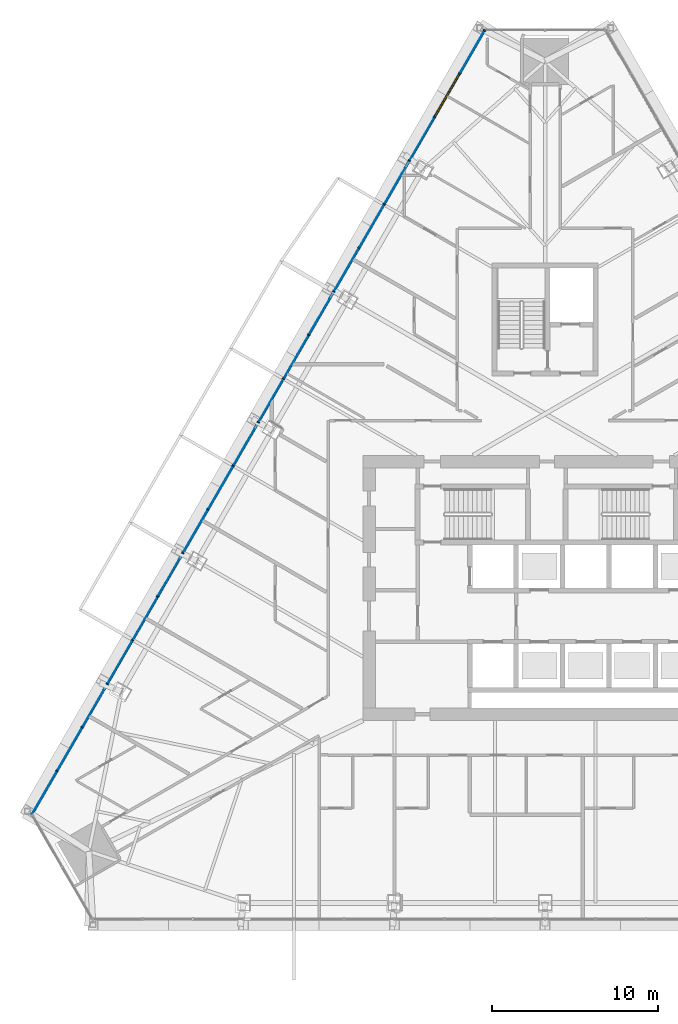
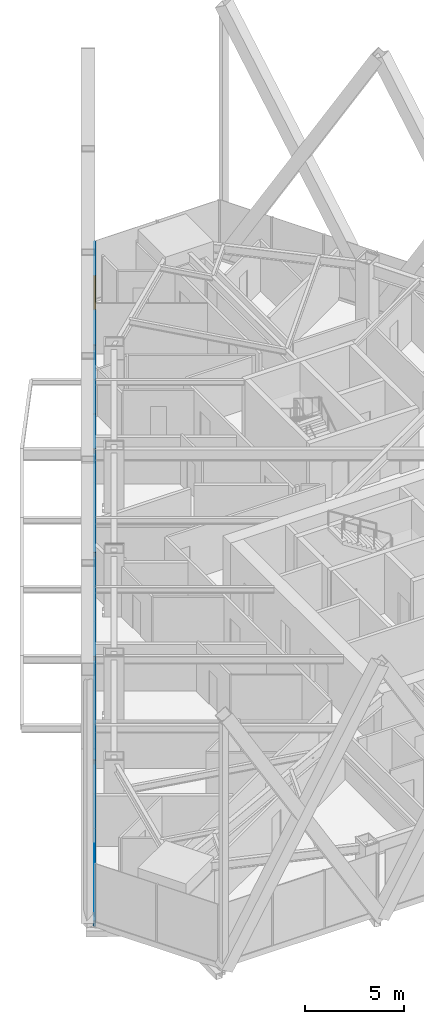
# One storey, part 6 of 26: 19 members, 17 plates, 1 window, 1 opening, 1 element without a shape of its own.
"""IFC4 building model written with IfcOpenShell, lengths in metres."""

import ifcopenshell
import ifcopenshell.guid

model = None  # the IFC model being written
_history = None  # IfcOwnerHistory: only IFC2X3 demands one
_inside = {}  # id of a spatial element -> (the spatial element, [elements in it])
_under = {}  # id of a project, library or spatial element -> (it, [spatial elements below it])
_declared = {}  # id of a project -> (the project, [libraries it declares])
_typed = {}  # id of a type object -> (the type object, [elements of that type])
_made_of = {}  # id of a material, layer set ... -> (it, [elements and type objects made of it])


def new_model(schema):
    """Start an empty IFC model of exactly this schema.

    Asked for "IFC4X3", IfcOpenShell would pick the latest addendum, in which some entities
    have other attributes; the version numbers below select the first issue.
    IFC2X3 requires an IfcOwnerHistory on every rooted entity: one is made here for all.
    """
    global model, _history
    if schema == "IFC4X3":
        model = ifcopenshell.file(schema_version=(4, 3, 0, 0))
    else:
        model = ifcopenshell.file(schema=schema)
    _inside.clear()
    _under.clear()
    _declared.clear()
    _typed.clear()
    _made_of.clear()
    _history = None
    if model.schema == "IFC2X3":
        org = make("IfcOrganization", Name="unknown")
        user = make(
            "IfcPersonAndOrganization",
            ThePerson=make("IfcPerson", FamilyName="unknown"),
            TheOrganization=org,
        )
        app = make(
            "IfcApplication",
            ApplicationDeveloper=org,
            Version="unknown",
            ApplicationFullName="unknown",
            ApplicationIdentifier="unknown",
        )
        _history = make(
            "IfcOwnerHistory",
            OwningUser=user,
            OwningApplication=app,
            ChangeAction="ADDED",
            CreationDate=0,
        )
    return model


def make(cls, **values):
    """One entity of the class cls with the attributes given. An attribute that is None is left unset."""
    return model.create_entity(
        cls, **{name: value for name, value in values.items() if value is not None}
    )


def rooted(cls, **values):
    """An entity with a GlobalId (a new one), such as an element, a storey or a relation."""
    return make(cls, GlobalId=ifcopenshell.guid.new(), OwnerHistory=_history, **values)


def si_unit(unit_type, name, prefix=None):
    """IfcSIUnit, for example si_unit("LENGTHUNIT", "METRE", prefix="MILLI")."""
    return make("IfcSIUnit", UnitType=unit_type, Prefix=prefix, Name=name)


def assignment(units):
    """IfcUnitAssignment: the units of a project."""
    return None if units is None else make("IfcUnitAssignment", Units=units)


def point(xyz):
    """IfcCartesianPoint."""
    return None if xyz is None else make("IfcCartesianPoint", Coordinates=xyz)


def direction(xyz):
    """IfcDirection."""
    return None if xyz is None else make("IfcDirection", DirectionRatios=xyz)


def frame(location, z_axis=None, x_axis=None):
    """IfcAxis2Placement3D, a coordinate frame: its origin and axes. An axis left out is left unset."""
    return make(
        "IfcAxis2Placement3D",
        Location=point(location),
        Axis=direction(z_axis),
        RefDirection=direction(x_axis),
    )


def frame_2d(location, x_axis=None):
    """IfcAxis2Placement2D, a coordinate frame in the plane: its origin and x axis."""
    return make(
        "IfcAxis2Placement2D", Location=point(location), RefDirection=direction(x_axis)
    )


def origin():
    """The frame at (0, 0, 0) with its axes left unset."""
    return frame((0.0, 0.0, 0.0))


def origin_2d():
    """The frame at (0, 0) in the plane with its x axis left unset."""
    return frame_2d((0.0, 0.0))


def place(relative_to, where):
    """IfcLocalPlacement: puts the frame where relative to a parent placement (None: the world)."""
    return make(
        "IfcLocalPlacement", PlacementRelTo=relative_to, RelativePlacement=where
    )


def context(
    kind, dimensions, precision=None, world=None, true_north=None, identifier=None
):
    """IfcGeometricRepresentationContext, for example the 3D "Model" context."""
    return make(
        "IfcGeometricRepresentationContext",
        ContextIdentifier=identifier,
        ContextType=kind,
        CoordinateSpaceDimension=dimensions,
        Precision=precision,
        WorldCoordinateSystem=world,
        TrueNorth=true_north,
    )


def subcontext(parent, identifier, kind, view, scale=None):
    """IfcGeometricRepresentationSubContext, for example "Body" below "Model"."""
    return make(
        "IfcGeometricRepresentationSubContext",
        ContextIdentifier=identifier,
        ContextType=kind,
        ParentContext=parent,
        TargetScale=scale,
        TargetView=view,
    )


def project(units=None, contexts=None):
    """IfcProject with its units and contexts."""
    return rooted(
        "IfcProject",
        Name="project",
        RepresentationContexts=contexts,
        UnitsInContext=assignment(units),
    )


def spatial(cls, under=None, at=None, **own):
    """A site, building, storey or space (cls), placed at a placement, below another one or the project."""
    s = rooted(cls, ObjectPlacement=at, **own)
    if under is not None:
        _under.setdefault(under.id(), (under, []))[1].append(s)
    return s


def polyline(points):
    """IfcPolyline through the points."""
    return make("IfcPolyline", Points=[point(p) for p in points])


def profile(cls, at=None, kind="AREA", **sizes):
    """A parametric profile (cls). Its sizes go by their IFC names, for example OverallWidth=200.0."""
    return make(cls, ProfileType=kind, Position=at, **sizes)


def rectangle(**sizes):
    """IfcRectangleProfileDef."""
    return profile("IfcRectangleProfileDef", **sizes)


def outline(outer, holes=None, kind="AREA"):
    """IfcArbitraryClosedProfileDef: a profile drawn as a closed curve; with holes, ...WithVoids."""
    if holes is None:
        return make("IfcArbitraryClosedProfileDef", ProfileType=kind, OuterCurve=outer)
    return make(
        "IfcArbitraryProfileDefWithVoids",
        ProfileType=kind,
        OuterCurve=outer,
        InnerCurves=holes,
    )


def extrude(swept, where, along, depth):
    """IfcExtrudedAreaSolid: the profile swept, set in the frame where, extruded along a direction by depth."""
    return make(
        "IfcExtrudedAreaSolid",
        SweptArea=swept,
        Position=where,
        ExtrudedDirection=direction(along),
        Depth=depth,
    )


def shape(context_of_items, identifier, shape_type, items):
    """IfcShapeRepresentation: the items that make up one representation, for example the "Body"."""
    return make(
        "IfcShapeRepresentation",
        ContextOfItems=context_of_items,
        RepresentationIdentifier=identifier,
        RepresentationType=shape_type,
        Items=items,
    )


def material(Name=None, Category=None):
    """IfcMaterial."""
    return make("IfcMaterial", Name=Name, Category=Category)


def layer(
    of_material, thickness, ventilated=None, Name=None, Category=None, Priority=None
):
    """IfcMaterialLayer: one layer of a wall or slab, of a material (None: an air gap)."""
    return make(
        "IfcMaterialLayer",
        Material=of_material,
        LayerThickness=thickness,
        IsVentilated=ventilated,
        Name=Name,
        Category=Category,
        Priority=Priority,
    )


def layer_set(layers, Name=None):
    """IfcMaterialLayerSet."""
    return make("IfcMaterialLayerSet", MaterialLayers=layers, LayerSetName=Name)


def material_profile(
    of_material, cross_section, Name=None, Category=None, Priority=None
):
    """IfcMaterialProfile: a cross section and its material."""
    return make(
        "IfcMaterialProfile",
        Name=Name,
        Material=of_material,
        Profile=cross_section,
        Priority=Priority,
        Category=Category,
    )


def profile_set(profiles, Name=None, composite=None):
    """IfcMaterialProfileSet."""
    return make(
        "IfcMaterialProfileSet",
        Name=Name,
        MaterialProfiles=profiles,
        CompositeProfile=composite,
    )


def made_of(thing, what):
    """Note that an element or type object is made of a material, layer set ...; save() writes the relation."""
    if what is not None:
        _made_of.setdefault(what.id(), (what, []))[1].append(thing)
    return thing


def type_object(cls, material=None, **own):
    """A type object (cls), such as IfcWallType, which elements share."""
    return made_of(rooted(cls, **own), material)


def element(
    cls,
    number,
    at=None,
    inside=None,
    cuts=None,
    type_object=None,
    material=None,
    context=None,
    identifier="Body",
    shape_type=None,
    held_by="IfcProductDefinitionShape",
    body=None,
    shapes=None,
    **own,
):
    """One element of the class cls, such as IfcWall. Its Tag is "e" and its number.

    at: its placement. inside: the storey or other place that contains it. cuts: it is an
    opening in that element (IfcRelVoidsElement). A single representation is given by context,
    identifier, shape_type and body (its items); several are given by shapes. held_by: the class
    of the entity that holds the representations. save() writes the other relations.
    """
    e = rooted(cls, Tag="e%d" % number, ObjectPlacement=at, **own)
    if body is not None:
        shapes = [shape(context, identifier, shape_type, body)]
    if shapes is not None:
        e.Representation = make(held_by, Representations=shapes)
    if inside is not None:
        _inside.setdefault(inside.id(), (inside, []))[1].append(e)
    if cuts is not None:
        rooted(
            "IfcRelVoidsElement", RelatingBuildingElement=cuts, RelatedOpeningElement=e
        )
    if type_object is not None:
        _typed.setdefault(type_object.id(), (type_object, []))[1].append(e)
    return made_of(e, material)


def fill(opening, filler):
    """IfcRelFillsElement: the door or window that sits in an opening."""
    return rooted(
        "IfcRelFillsElement",
        RelatingOpeningElement=opening,
        RelatedBuildingElement=filler,
    )


def aggregate(whole, parts):
    """IfcRelAggregates: a whole, such as a stair, and the parts it consists of."""
    return rooted("IfcRelAggregates", RelatingObject=whole, RelatedObjects=parts)


def save(model, path):
    """Write the relations noted so far, then the file.

    IfcRelAggregates (storeys below a building ...), IfcRelContainedInSpatialStructure (elements
    in a storey), IfcRelDefinesByType, IfcRelAssociatesMaterial and IfcRelDeclares: one each for
    every whole, place, type object, material and project.
    """
    for whole, parts in _under.values():
        aggregate(whole, parts)
    for where, things in _inside.values():
        rooted(
            "IfcRelContainedInSpatialStructure",
            RelatedElements=things,
            RelatingStructure=where,
        )
    for kind, things in _typed.values():
        rooted("IfcRelDefinesByType", RelatedObjects=things, RelatingType=kind)
    for what, things in _made_of.values():
        rooted("IfcRelAssociatesMaterial", RelatedObjects=things, RelatingMaterial=what)
    for by, libraries in _declared.values():
        rooted("IfcRelDeclares", RelatingContext=by, RelatedDefinitions=libraries)
    model.write(path)


model = new_model("IFC4")

# Units and contexts
model_context = context("Model", 3, precision=1e-05, world=origin(), true_north=direction((0.0, 1.0)))
body_context = subcontext(model_context, "Body", "Model", "MODEL_VIEW")
ifc_project = project(units=[si_unit("LENGTHUNIT", "METRE"), si_unit("AREAUNIT", "SQUARE_METRE"), si_unit("VOLUMEUNIT", "CUBIC_METRE"), si_unit("PLANEANGLEUNIT", "RADIAN"), si_unit("MASSUNIT", "GRAM", prefix="KILO")], contexts=[model_context])

# Site, building, storey
site_placement = place(None, origin())
site = spatial("IfcSite", under=ifc_project, at=site_placement, CompositionType="ELEMENT")
building_placement = place(site_placement, origin())
building = spatial("IfcBuilding", under=site, at=building_placement, Name="Firuza Gate Tower and Library", CompositionType="ELEMENT")
storey_placement = place(building_placement, frame((0.0, 0.0, 155.800048828125)))
storey = spatial("IfcBuildingStorey", under=building, at=storey_placement, Name="L35", CompositionType="ELEMENT", Elevation=155.800048828125)

# Curtain wall, opening, members, plates, window
ifc_material_1 = material(Name="Aluminium 6063-T6", Category="aluminium")
ifc_layer_1 = layer(ifc_material_1, 0.14990234375)
ifc_layer_set_1 = layer_set([ifc_layer_1], Name="Unitised curtain wall, hotel")
curtain_wall_type = type_object("IfcCurtainWallType", Name="Unitised curtain wall, hotel", PredefinedType="NOTDEFINED", material=ifc_layer_set_1)
curtain_wall_placement = place(storey_placement, origin())
curtain_wall = element("IfcCurtainWall", 1, at=curtain_wall_placement, inside=storey, type_object=curtain_wall_type, Name="CW2 L35 W face", PredefinedType="NOTDEFINED")
opening_placement = place(curtain_wall_placement, frame((69.817626953125, 106.010986328125, 0.14990234375), z_axis=(0.0, 0.0, 1.0), x_axis=(-0.5, -0.866025, 0.0)))
opening = element("IfcOpeningElement", 2, at=opening_placement, cuts=curtain_wall, Name="Opening WD1-005", PredefinedType="OPENING", context=body_context, shape_type="SweptSolid", body=[
    extrude(rectangle(XDim=2.958251953125, YDim=3.550048828125, at=frame_2d((1.47900390625, 1.77490234375))), frame((0.0, 0.0849609375, 0.0), z_axis=(0.0, -1.0, 0.0), x_axis=(1.0, 0.0, 0.0)), (0.0, 0.0, 1.0), 0.169921875),
])
ifc_material_2 = material(Name="Aluminium 6063-T6", Category="aluminium")
ifc_material_profile_1 = material_profile(ifc_material_2, rectangle(XDim=0.14990234375, YDim=0.080078125, at=origin_2d()))
ifc_profile_set_1 = profile_set([ifc_material_profile_1], Name="Aluminium 6063-T6")
member_type_1 = type_object("IfcMemberType", Name="Curtain wall mullion 80x150", PredefinedType="MULLION", material=ifc_profile_set_1)
member_1_placement = place(storey_placement, frame((71.336669921875, 108.64208984375, 0.14990234375), z_axis=(0.0, 0.0, 1.0), x_axis=(0.866025403784, -0.5, 0.0)))
member_1 = element("IfcMember", 3, at=member_1_placement, type_object=member_type_1, Name="Mullion", PredefinedType="MULLION", context=body_context, shape_type="SweptSolid", body=[
    extrude(rectangle(XDim=0.14990234375, YDim=0.080078125, at=origin_2d()), origin(), (0.0, 0.0, 1.0), 3.550048828125),
])
member_2_placement = place(storey_placement, frame((69.837646484375, 106.045654296875, 0.14990234375), z_axis=(0.0, 0.0, 1.0), x_axis=(0.866025403784, -0.5, 0.0)))
member_2 = element("IfcMember", 4, at=member_2_placement, type_object=member_type_1, Name="Mullion", PredefinedType="MULLION", context=body_context, shape_type="SweptSolid", body=[
    extrude(rectangle(XDim=0.14990234375, YDim=0.080078125, at=origin_2d()), origin(), (0.0, 0.0, 1.0), 3.550048828125),
])
member_3_placement = place(storey_placement, frame((68.318603515625, 103.41455078125, 0.14990234375), z_axis=(0.0, 0.0, 1.0), x_axis=(0.866025403784, -0.5, 0.0)))
member_3 = element("IfcMember", 5, at=member_3_placement, type_object=member_type_1, Name="Mullion", PredefinedType="MULLION", context=body_context, shape_type="SweptSolid", body=[
    extrude(rectangle(XDim=0.14990234375, YDim=0.080078125, at=origin_2d()), origin(), (0.0, 0.0, 1.0), 3.550048828125),
])
member_4_placement = place(storey_placement, frame((66.799560546875, 100.783447265625, 0.14990234375), z_axis=(0.0, 0.0, 1.0), x_axis=(0.866025403784, -0.5, 0.0)))
member_4 = element("IfcMember", 6, at=member_4_placement, type_object=member_type_1, Name="Mullion", PredefinedType="MULLION", context=body_context, shape_type="SweptSolid", body=[
    extrude(rectangle(XDim=0.14990234375, YDim=0.080078125, at=origin_2d()), origin(), (0.0, 0.0, 1.0), 3.550048828125),
])
member_5_placement = place(storey_placement, frame((65.280517578125, 98.15234375, 0.14990234375), z_axis=(0.0, 0.0, 1.0), x_axis=(0.866025403784, -0.5, 0.0)))
member_5 = element("IfcMember", 7, at=member_5_placement, type_object=member_type_1, Name="Mullion", PredefinedType="MULLION", context=body_context, shape_type="SweptSolid", body=[
    extrude(rectangle(XDim=0.14990234375, YDim=0.080078125, at=origin_2d()), origin(), (0.0, 0.0, 1.0), 3.550048828125),
])
member_6_placement = place(storey_placement, frame((63.76123046875, 95.521240234375, 0.14990234375), z_axis=(0.0, 0.0, 1.0), x_axis=(0.866025403784, -0.5, 0.0)))
member_6 = element("IfcMember", 8, at=member_6_placement, type_object=member_type_1, Name="Mullion", PredefinedType="MULLION", context=body_context, shape_type="SweptSolid", body=[
    extrude(rectangle(XDim=0.14990234375, YDim=0.080078125, at=origin_2d()), origin(), (0.0, 0.0, 1.0), 3.550048828125),
])
member_7_placement = place(storey_placement, frame((62.2421875, 92.89013671875, 0.14990234375), z_axis=(0.0, 0.0, 1.0), x_axis=(0.866025403784, -0.5, 0.0)))
member_7 = element("IfcMember", 9, at=member_7_placement, type_object=member_type_1, Name="Mullion", PredefinedType="MULLION", context=body_context, shape_type="SweptSolid", body=[
    extrude(rectangle(XDim=0.14990234375, YDim=0.080078125, at=origin_2d()), origin(), (0.0, 0.0, 1.0), 3.550048828125),
])
member_8_placement = place(storey_placement, frame((60.72314453125, 90.259033203125, 0.14990234375), z_axis=(0.0, 0.0, 1.0), x_axis=(0.866025403784, -0.5, 0.0)))
member_8 = element("IfcMember", 10, at=member_8_placement, type_object=member_type_1, Name="Mullion", PredefinedType="MULLION", context=body_context, shape_type="SweptSolid", body=[
    extrude(rectangle(XDim=0.14990234375, YDim=0.080078125, at=origin_2d()), origin(), (0.0, 0.0, 1.0), 3.550048828125),
])
member_9_placement = place(storey_placement, frame((59.2041015625, 87.6279296875, 0.14990234375), z_axis=(0.0, 0.0, 1.0), x_axis=(0.866025403784, -0.5, 0.0)))
member_9 = element("IfcMember", 11, at=member_9_placement, type_object=member_type_1, Name="Mullion", PredefinedType="MULLION", context=body_context, shape_type="SweptSolid", body=[
    extrude(rectangle(XDim=0.14990234375, YDim=0.080078125, at=origin_2d()), origin(), (0.0, 0.0, 1.0), 3.550048828125),
])
member_10_placement = place(storey_placement, frame((57.68505859375, 84.996826171875, 0.14990234375), z_axis=(0.0, 0.0, 1.0), x_axis=(0.866025403784, -0.5, 0.0)))
member_10 = element("IfcMember", 12, at=member_10_placement, type_object=member_type_1, Name="Mullion", PredefinedType="MULLION", context=body_context, shape_type="SweptSolid", body=[
    extrude(rectangle(XDim=0.14990234375, YDim=0.080078125, at=origin_2d()), origin(), (0.0, 0.0, 1.0), 3.550048828125),
])
member_11_placement = place(storey_placement, frame((56.166015625, 82.36572265625, 0.14990234375), z_axis=(0.0, 0.0, 1.0), x_axis=(0.866025403784, -0.5, 0.0)))
member_11 = element("IfcMember", 13, at=member_11_placement, type_object=member_type_1, Name="Mullion", PredefinedType="MULLION", context=body_context, shape_type="SweptSolid", body=[
    extrude(rectangle(XDim=0.14990234375, YDim=0.080078125, at=origin_2d()), origin(), (0.0, 0.0, 1.0), 3.550048828125),
])
member_12_placement = place(storey_placement, frame((54.64697265625, 79.734619140625, 0.14990234375), z_axis=(0.0, 0.0, 1.0), x_axis=(0.866025403784, -0.5, 0.0)))
member_12 = element("IfcMember", 14, at=member_12_placement, type_object=member_type_1, Name="Mullion", PredefinedType="MULLION", context=body_context, shape_type="SweptSolid", body=[
    extrude(rectangle(XDim=0.14990234375, YDim=0.080078125, at=origin_2d()), origin(), (0.0, 0.0, 1.0), 3.550048828125),
])
member_13_placement = place(storey_placement, frame((53.1279296875, 77.103515625, 0.14990234375), z_axis=(0.0, 0.0, 1.0), x_axis=(0.866025403784, -0.5, 0.0)))
member_13 = element("IfcMember", 15, at=member_13_placement, type_object=member_type_1, Name="Mullion", PredefinedType="MULLION", context=body_context, shape_type="SweptSolid", body=[
    extrude(rectangle(XDim=0.14990234375, YDim=0.080078125, at=origin_2d()), origin(), (0.0, 0.0, 1.0), 3.550048828125),
])
member_14_placement = place(storey_placement, frame((51.608642578125, 74.472412109375, 0.14990234375), z_axis=(0.0, 0.0, 1.0), x_axis=(0.866025403784, -0.5, 0.0)))
member_14 = element("IfcMember", 16, at=member_14_placement, type_object=member_type_1, Name="Mullion", PredefinedType="MULLION", context=body_context, shape_type="SweptSolid", body=[
    extrude(rectangle(XDim=0.14990234375, YDim=0.080078125, at=origin_2d()), origin(), (0.0, 0.0, 1.0), 3.550048828125),
])
member_15_placement = place(storey_placement, frame((50.089599609375, 71.84130859375, 0.14990234375), z_axis=(0.0, 0.0, 1.0), x_axis=(0.866025403784, -0.5, 0.0)))
member_15 = element("IfcMember", 17, at=member_15_placement, type_object=member_type_1, Name="Mullion", PredefinedType="MULLION", context=body_context, shape_type="SweptSolid", body=[
    extrude(rectangle(XDim=0.14990234375, YDim=0.080078125, at=origin_2d()), origin(), (0.0, 0.0, 1.0), 3.550048828125),
])
member_16_placement = place(storey_placement, frame((48.570556640625, 69.210205078125, 0.14990234375), z_axis=(0.0, 0.0, 1.0), x_axis=(0.866025403784, -0.5, 0.0)))
member_16 = element("IfcMember", 18, at=member_16_placement, type_object=member_type_1, Name="Mullion", PredefinedType="MULLION", context=body_context, shape_type="SweptSolid", body=[
    extrude(rectangle(XDim=0.14990234375, YDim=0.080078125, at=origin_2d()), origin(), (0.0, 0.0, 1.0), 3.550048828125),
])
member_17_placement = place(storey_placement, frame((47.051513671875, 66.5791015625, 0.14990234375), z_axis=(0.0, 0.0, 1.0), x_axis=(0.866025403784, -0.5, 0.0)))
member_17 = element("IfcMember", 19, at=member_17_placement, type_object=member_type_1, Name="Mullion", PredefinedType="MULLION", context=body_context, shape_type="SweptSolid", body=[
    extrude(rectangle(XDim=0.14990234375, YDim=0.080078125, at=origin_2d()), origin(), (0.0, 0.0, 1.0), 3.550048828125),
])
member_18_placement = place(storey_placement, frame((45.532470703125, 63.947998046875, 0.14990234375), z_axis=(0.0, 0.0, 1.0), x_axis=(0.866025403784, -0.5, 0.0)))
member_18 = element("IfcMember", 20, at=member_18_placement, type_object=member_type_1, Name="Mullion", PredefinedType="MULLION", context=body_context, shape_type="SweptSolid", body=[
    extrude(rectangle(XDim=0.14990234375, YDim=0.080078125, at=origin_2d()), origin(), (0.0, 0.0, 1.0), 3.550048828125),
])
ifc_material_3 = material(Name="Aluminium 6063-T6", Category="aluminium")
ifc_material_profile_2 = material_profile(ifc_material_3, rectangle(XDim=0.14990234375, YDim=0.35009765625, at=origin_2d()))
ifc_profile_set_2 = profile_set([ifc_material_profile_2], Name="Aluminium 6063-T6")
member_type_2 = type_object("IfcMemberType", Name="Curtain wall transom 350x150", PredefinedType="USERDEFINED", material=ifc_profile_set_2)
member_19_placement = place(storey_placement, frame((71.356689453125, 108.6767578125, -0.025146484375), z_axis=(-0.500000437556, -0.866025151161, 0.0), x_axis=(0.866025151161, -0.500000437556, 0.0)))
member_19 = element("IfcMember", 21, at=member_19_placement, type_object=member_type_2, Name="Transom", ObjectType="TRANSOM", PredefinedType="USERDEFINED", context=body_context, shape_type="SweptSolid", body=[
    extrude(rectangle(XDim=0.14990234375, YDim=0.35009765625, at=origin_2d()), origin(), (0.0, 0.0, 1.0), 54.6865234375),
])
ifc_material_4 = material(Name="Fritted glass", Category="glass")
ifc_layer_2 = layer(ifc_material_4, 0.030029296875)
ifc_layer_set_2 = layer_set([ifc_layer_2], Name="Fritted glass unit, hotel")
plate_type_1 = type_object("IfcPlateType", Name="Fritted glass unit, hotel", PredefinedType="CURTAIN_PANEL", material=ifc_layer_set_2)
plate_1_placement = place(storey_placement, frame((65.247314453125, 98.125244140625, 0.14990234375), z_axis=(-0.866030277542, 0.49999155831, 0.0), x_axis=(-0.49999155831, -0.866030277542, 0.0)))
plate_1 = element("IfcPlate", 22, at=plate_1_placement, type_object=plate_type_1, Name="Glass unit", PredefinedType="CURTAIN_PANEL", context=body_context, shape_type="SweptSolid", body=[
    extrude(outline(polyline([(0.0, 0.0), (2.958057754513118, 0.0), (2.958057754513118, 3.550048828125), (0.0, 3.550048828125), (0.0, 0.0)])), origin(), (0.0, 0.0, -1.0), 0.030029296875),
])
plate_2_placement = place(storey_placement, frame((60.690185546875, 90.23193359375, 0.14990234375), z_axis=(-0.866050908157, 0.499955822529, 0.0), x_axis=(-0.499955822529, -0.866050908157, 0.0)))
plate_2 = element("IfcPlate", 23, at=plate_2_placement, type_object=plate_type_1, Name="Glass unit", PredefinedType="CURTAIN_PANEL", context=body_context, shape_type="SweptSolid", body=[
    extrude(outline(polyline([(0.0, 0.0), (2.9582691902048213, 0.0), (2.9582691902048213, 3.550048828125), (0.0, 3.550048828125), (0.0, 0.0)])), origin(), (0.0, 0.0, -1.0), 0.030029296875),
])
plate_3_placement = place(storey_placement, frame((56.133056640625, 82.338623046875, 0.14990234375), z_axis=(-0.866015173767, 0.500017718492, 0.0), x_axis=(-0.500017718492, -0.866015173767, 0.0)))
plate_3 = element("IfcPlate", 24, at=plate_3_placement, type_object=plate_type_1, Name="Glass unit", PredefinedType="CURTAIN_PANEL", context=body_context, shape_type="SweptSolid", body=[
    extrude(outline(polyline([(0.0, 0.0), (2.958391257287621, 0.0), (2.958391257287621, 3.550048828125), (0.0, 3.550048828125), (0.0, 0.0)])), origin(), (0.0, 0.0, -1.0), 0.030029296875),
])
plate_4_placement = place(storey_placement, frame((51.57568359375, 74.4453125, 0.14990234375), z_axis=(-0.866050908157, 0.499955822529, 0.0), x_axis=(-0.499955822529, -0.866050908157, 0.0)))
plate_4 = element("IfcPlate", 25, at=plate_4_placement, type_object=plate_type_1, Name="Glass unit", PredefinedType="CURTAIN_PANEL", context=body_context, shape_type="SweptSolid", body=[
    extrude(outline(polyline([(0.0, 0.0), (2.9582691902048213, 0.0), (2.9582691902048213, 3.550048828125), (0.0, 3.550048828125), (0.0, 0.0)])), origin(), (0.0, 0.0, -1.0), 0.030029296875),
])
plate_5_placement = place(storey_placement, frame((47.0185546875, 66.5517578125, 0.14990234375), z_axis=(-0.866030277542, 0.49999155831, 0.0), x_axis=(-0.49999155831, -0.866030277542, 0.0)))
plate_5 = element("IfcPlate", 26, at=plate_5_placement, type_object=plate_type_1, Name="Glass unit", PredefinedType="CURTAIN_PANEL", context=body_context, shape_type="SweptSolid", body=[
    extrude(outline(polyline([(0.0, 0.0), (2.958057754513118, 0.0), (2.958057754513118, 3.550048828125), (0.0, 3.550048828125), (0.0, 0.0)])), origin(), (0.0, 0.0, -1.0), 0.030029296875),
])
ifc_material_5 = material(Name="Glazed ceramic tile")
ifc_layer_3 = layer(ifc_material_5, 0.030029296875)
ifc_layer_set_3 = layer_set([ifc_layer_3], Name="Opaque ceramic panel, hotel")
plate_type_2 = type_object("IfcPlateType", Name="Opaque ceramic panel, hotel", PredefinedType="CURTAIN_PANEL", material=ifc_layer_set_3)
plate_6_placement = place(storey_placement, frame((71.32373046875, 108.649658203125, 0.14990234375), z_axis=(-0.866030277542, 0.49999155831, 0.0), x_axis=(-0.49999155831, -0.866030277542, 0.0)))
plate_6 = element("IfcPlate", 27, at=plate_6_placement, type_object=plate_type_2, Name="Opaque ceramic panel", PredefinedType="CURTAIN_PANEL", context=body_context, shape_type="SweptSolid", body=[
    extrude(outline(polyline([(0.0, 0.0), (2.958057754513118, 0.0), (2.958057754513118, 3.550048828125), (0.0, 3.550048828125), (0.0, 0.0)])), origin(), (0.0, 0.0, -1.0), 0.030029296875),
])
plate_7_placement = place(storey_placement, frame((68.28564453125, 103.387451171875, 0.14990234375), z_axis=(-0.865994538894, 0.500053455748, 0.0), x_axis=(-0.500053455748, -0.865994538894, 0.0)))
plate_7 = element("IfcPlate", 28, at=plate_7_placement, type_object=plate_type_2, Name="Opaque ceramic panel", PredefinedType="CURTAIN_PANEL", context=body_context, shape_type="SweptSolid", body=[
    extrude(outline(polyline([(0.0, 0.0), (2.9581798303206535, 0.0), (2.9581798303206535, 3.550048828125), (0.0, 3.550048828125), (0.0, 0.0)])), origin(), (0.0, 0.0, -1.0), 0.030029296875),
])
plate_8_placement = place(storey_placement, frame((66.528564453125, 100.34423828125, 0.14990234375), z_axis=(-0.866007052662, 0.500031783729, 0.0), x_axis=(-0.500031783729, -0.866007052662, 0.0)))
plate_8 = element("IfcPlate", 29, at=plate_8_placement, type_object=plate_type_2, Name="Opaque ceramic panel", PredefinedType="CURTAIN_PANEL", context=body_context, shape_type="SweptSolid", body=[
    extrude(outline(polyline([(0.0, 0.0), (2.482264083781626, 0.0), (2.482264083781626, 3.550048828125001), (0.0, 3.550048828125001), (0.0, 0.0)])), origin(), (0.0, 0.0, -1.0), 0.030029296875),
])
plate_9_placement = place(storey_placement, frame((63.728271484375, 95.494140625, 0.14990234375), z_axis=(-0.866030277542, 0.49999155831, 0.0), x_axis=(-0.49999155831, -0.866030277542, 0.0)))
plate_9 = element("IfcPlate", 30, at=plate_9_placement, type_object=plate_type_2, Name="Opaque ceramic panel", PredefinedType="CURTAIN_PANEL", context=body_context, shape_type="SweptSolid", body=[
    extrude(outline(polyline([(0.0, 0.0), (2.958057754513118, 0.0), (2.958057754513118, 3.550048828125), (0.0, 3.550048828125), (0.0, 0.0)])), origin(), (0.0, 0.0, -1.0), 0.030029296875),
])
plate_10_placement = place(storey_placement, frame((61.978515625, 92.46337890625, 0.14990234375), z_axis=(-0.866025995923, 0.499998974385, 0.0), x_axis=(-0.499998974385, -0.866025995923, 0.0)))
plate_10 = element("IfcPlate", 31, at=plate_10_placement, type_object=plate_type_2, Name="Opaque ceramic panel", PredefinedType="CURTAIN_PANEL", context=body_context, shape_type="SweptSolid", body=[
    extrude(outline(polyline([(0.0, 0.0), (2.4965871523247465, 0.0), (2.4965871523247465, 3.550048828125), (0.0, 3.550048828125), (0.0, 0.0)])), origin(), (0.0, 0.0, -1.0), 0.030029296875),
])
plate_11_placement = place(storey_placement, frame((59.171142578125, 87.600830078125, 0.14990234375), z_axis=(-0.866050908157, 0.499955822529, 0.0), x_axis=(-0.499955822529, -0.866050908157, 0.0)))
plate_11 = element("IfcPlate", 32, at=plate_11_placement, type_object=plate_type_2, Name="Opaque ceramic panel", PredefinedType="CURTAIN_PANEL", context=body_context, shape_type="SweptSolid", body=[
    extrude(outline(polyline([(0.0, 0.0), (2.9582691902048213, 0.0), (2.9582691902048213, 3.550048828125), (0.0, 3.550048828125), (0.0, 0.0)])), origin(), (0.0, 0.0, -1.0), 0.030029296875),
])
plate_12_placement = place(storey_placement, frame((57.428466796875, 84.58251953125, 0.14990234375), z_axis=(-0.866069023501, 0.499924440822, 0.0), x_axis=(-0.499924440822, -0.866069023501, 0.0)))
plate_12 = element("IfcPlate", 33, at=plate_12_placement, type_object=plate_type_2, Name="Opaque ceramic panel", PredefinedType="CURTAIN_PANEL", context=body_context, shape_type="SweptSolid", body=[
    extrude(outline(polyline([(0.0, 0.0), (2.511121664076642, 0.0), (2.511121664076642, 3.5500488281249996), (0.0, 3.5500488281249996), (0.0, 0.0)])), origin(), (0.0, 0.0, -1.0), 0.030029296875),
])
plate_13_placement = place(storey_placement, frame((54.614013671875, 79.70751953125, 0.14990234375), z_axis=(-0.866015173767, 0.500017718492, 0.0), x_axis=(-0.500017718492, -0.866015173767, 0.0)))
plate_13 = element("IfcPlate", 34, at=plate_13_placement, type_object=plate_type_2, Name="Opaque ceramic panel", PredefinedType="CURTAIN_PANEL", context=body_context, shape_type="SweptSolid", body=[
    extrude(outline(polyline([(0.0, 0.0), (2.958391257287621, 0.0), (2.958391257287621, 3.550048828125), (0.0, 3.550048828125), (0.0, 0.0)])), origin(), (0.0, 0.0, -1.0), 0.030029296875),
])
plate_14_placement = place(storey_placement, frame((52.878662109375, 76.70166015625, 0.14990234375), z_axis=(-0.866003682129, 0.500037621124, 0.0), x_axis=(-0.500037621124, -0.866003682129, 0.0)))
plate_14 = element("IfcPlate", 35, at=plate_14_placement, type_object=plate_type_2, Name="Opaque ceramic panel", PredefinedType="CURTAIN_PANEL", context=body_context, shape_type="SweptSolid", body=[
    extrude(outline(polyline([(0.0, 0.0), (2.5256888677408273, 0.0), (2.5256888677408273, 3.550048828125), (0.0, 3.550048828125), (0.0, 0.0)])), origin(), (0.0, 0.0, -1.0), 0.030029296875),
])
plate_15_placement = place(storey_placement, frame((50.056640625, 71.814208984375, 0.14990234375), z_axis=(-0.866050908157, 0.499955822529, 0.0), x_axis=(-0.499955822529, -0.866050908157, 0.0)))
plate_15 = element("IfcPlate", 36, at=plate_15_placement, type_object=plate_type_2, Name="Opaque ceramic panel", PredefinedType="CURTAIN_PANEL", context=body_context, shape_type="SweptSolid", body=[
    extrude(outline(polyline([(0.0, 0.0), (2.9582691902048213, 0.0), (2.9582691902048213, 3.550048828125), (0.0, 3.550048828125), (0.0, 0.0)])), origin(), (0.0, 0.0, -1.0), 0.030029296875),
])
plate_16_placement = place(storey_placement, frame((48.32861328125, 68.82080078125, 0.14990234375), z_axis=(-0.866022320763, 0.500005339912, 0.0), x_axis=(-0.500005339912, -0.866022320763, 0.0)))
plate_16 = element("IfcPlate", 37, at=plate_16_placement, type_object=plate_type_2, Name="Opaque ceramic panel", PredefinedType="CURTAIN_PANEL", context=body_context, shape_type="SweptSolid", body=[
    extrude(outline(polyline([(0.0, 0.0), (2.5400119356190354, 0.0), (2.5400119356190354, 3.550048828125), (0.0, 3.550048828125), (0.0, 0.0)])), origin(), (0.0, 0.0, -1.0), 0.030029296875),
])
plate_17_placement = place(storey_placement, frame((45.49951171875, 63.920654296875, 0.14990234375), z_axis=(-0.866030277542, 0.49999155831, 0.0), x_axis=(-0.49999155831, -0.866030277542, 0.0)))
plate_17 = element("IfcPlate", 38, at=plate_17_placement, type_object=plate_type_2, Name="Opaque ceramic panel", PredefinedType="CURTAIN_PANEL", context=body_context, shape_type="SweptSolid", body=[
    extrude(outline(polyline([(0.0, 0.0), (2.958057754513118, 0.0), (2.958057754513118, 3.550048828125), (0.0, 3.550048828125), (0.0, 0.0)])), origin(), (0.0, 0.0, -1.0), 0.030029296875),
])
aggregate(curtain_wall, [member_1, member_2, member_3, member_4, member_5, member_6, member_7, member_8, member_9, member_10, member_11, member_12, member_13, member_14, member_15, member_16, member_17, member_18, member_19, plate_6, plate_7, plate_8, plate_1, plate_9, plate_10, plate_2, plate_11, plate_12, plate_3, plate_13, plate_14, plate_4, plate_15, plate_16, plate_5, plate_17])
ifc_material_6 = material(Name="Aluminium 6063-T6 and glass", Category="aluminium")
ifc_layer_4 = layer(ifc_material_6, 0.030029296875)
ifc_layer_set_4 = layer_set([ifc_layer_4], Name="Operable glazed unit")
window_type = type_object("IfcWindowType", Name="Operable glazed unit", PartitioningType="SINGLE_PANEL", PredefinedType="WINDOW", material=ifc_layer_set_4)
window_placement = place(opening_placement, origin())
window = element("IfcWindow", 39, at=window_placement, inside=storey, type_object=window_type, Name="Operable glazed unit", OverallHeight=3.550048828125, OverallWidth=2.958251953125, PartitioningType="SINGLE_PANEL", PredefinedType="WINDOW", context=body_context, shape_type="SweptSolid", body=[
    extrude(rectangle(XDim=2.958251953125, YDim=3.550048828125, at=frame_2d((1.47900390625, 1.77490234375))), frame((0.0, 0.030029296875, 0.0), z_axis=(0.0, -1.0, 0.0), x_axis=(1.0, 0.0, 0.0)), (0.0, 0.0, 1.0), 0.06005859375),
])
fill(opening, window)

save(model, "model.ifc")
